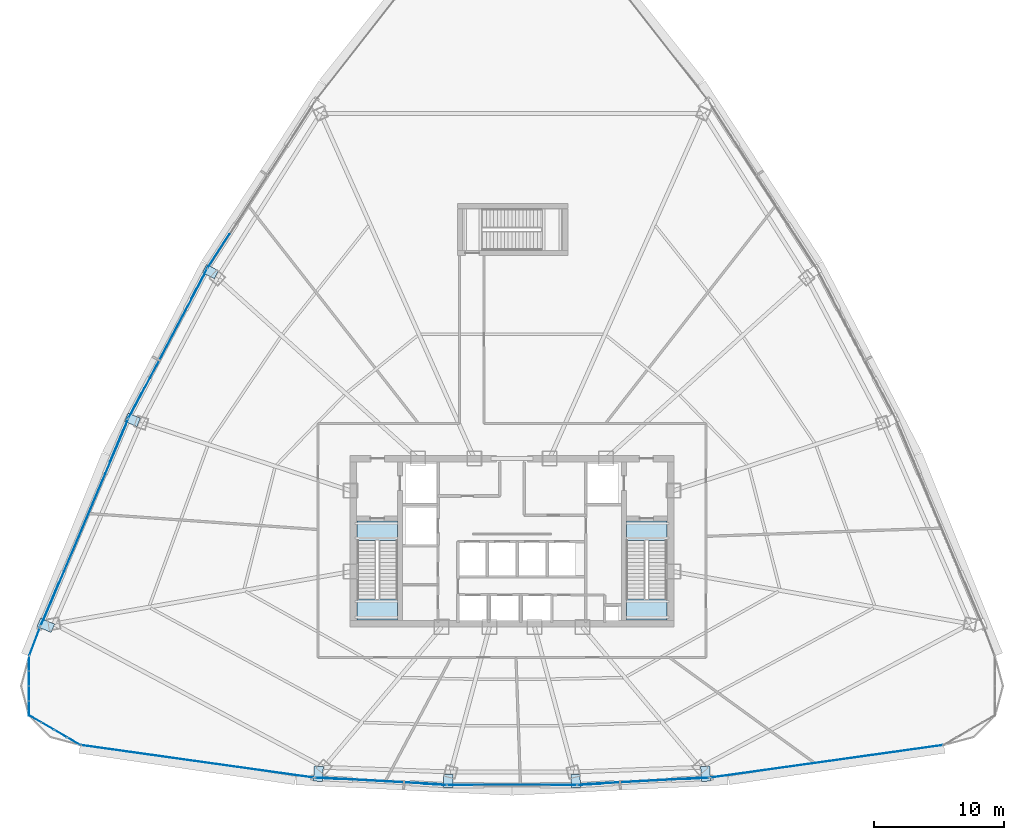
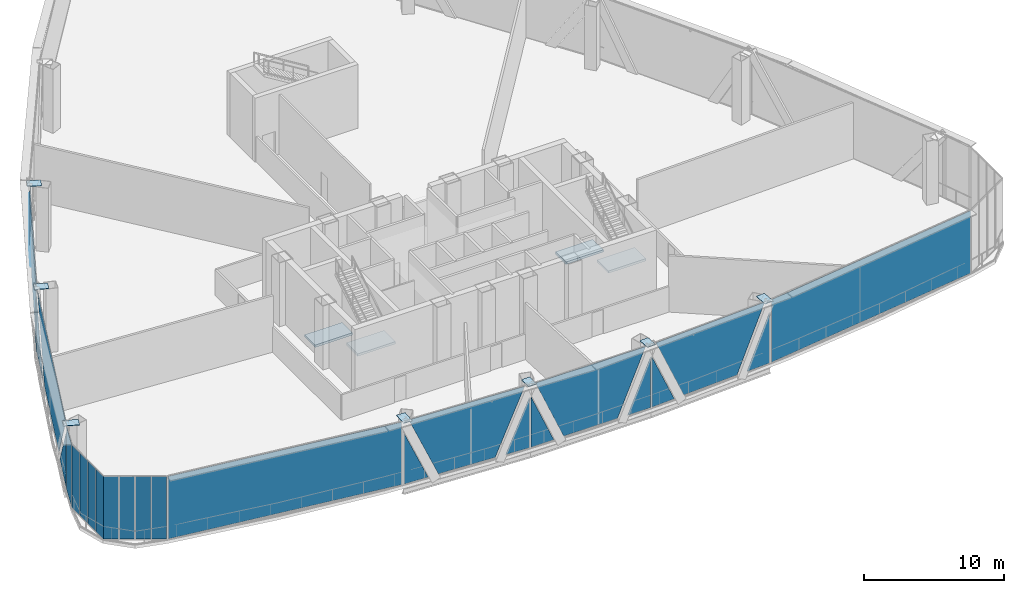
# One storey, part 27 of 38: 34 plates, 4 slabs, 13 elements without a shape of their own.
"""IFC4 building model written with IfcOpenShell, lengths in metres."""

from ifc_helpers import new_model, si_unit, direction, frame, origin, origin_2d, place, context, subcontext, project, spatial, polyline, rectangle, outline, extrude, source, transform, mapped, material, layer, layer_set, type_object, element, aggregate, save


model = new_model("IFC4")

# Units and contexts
model_context = context("Model", 3, precision=1e-05, world=origin(), true_north=direction((0.0, 1.0)))
body_context = subcontext(model_context, "Body", "Model", "MODEL_VIEW")
ifc_project = project(units=[si_unit("LENGTHUNIT", "METRE"), si_unit("AREAUNIT", "SQUARE_METRE"), si_unit("VOLUMEUNIT", "CUBIC_METRE"), si_unit("PLANEANGLEUNIT", "RADIAN"), si_unit("MASSUNIT", "GRAM", prefix="KILO"), si_unit("THERMODYNAMICTEMPERATUREUNIT", "KELVIN"), si_unit("POWERUNIT", "WATT")], contexts=[model_context])

# Site, building, storey
site_placement = place(None, origin())
site = spatial("IfcSite", under=ifc_project, at=site_placement, CompositionType="ELEMENT")
building_placement = place(site_placement, origin())
building = spatial("IfcBuilding", under=site, at=building_placement, Name="Yunzhuo Pagoda Commons", CompositionType="ELEMENT")
storey_placement = place(building_placement, frame((0.0, 0.0, 218.9599609375)))
storey = spatial("IfcBuildingStorey", under=building, at=storey_placement, Name="L55", CompositionType="ELEMENT", Elevation=218.9599609375)

# Curtain wall, plates
ifc_material_1 = material(Name="Anodized aluminium 6063-T6", Category="aluminium")
ifc_layer_1 = layer(ifc_material_1, 0.14990234375)
ifc_layer_set_1 = layer_set([ifc_layer_1], Name="Anodized aluminium 6063-T6")
curtain_wall_type_1 = type_object("IfcCurtainWallType", Name="CW-MID Mid-Zone Ribbon Curtain Wall", PredefinedType="NOTDEFINED", material=ifc_layer_set_1)
curtain_wall_1_placement = place(storey_placement, origin())
curtain_wall_1 = element("IfcCurtainWall", 1, at=curtain_wall_1_placement, inside=storey, type_object=curtain_wall_type_1, Name="L55 curtain wall CW-L55-F1B2", PredefinedType="NOTDEFINED")
ifc_material_2 = material(Name="Tempered low-e double glazing", Category="glass")
ifc_layer_2 = layer(ifc_material_2, 0.028076171875)
ifc_layer_set_2 = layer_set([ifc_layer_2], Name="Tempered low-e double glazing")
plate_type_1 = type_object("IfcPlateType", Name="CW-MID-P Low-E Double Glazing 28", PredefinedType="CURTAIN_PANEL", material=ifc_layer_set_2)
plate_1_placement = place(storey_placement, frame((33.884033203125, 15.618896484375, 2.266845703125), z_axis=(-0.055422627941, -0.998462984948, 0.0), x_axis=(0.998462984948, -0.055422627941, 0.0)))
plate_1 = element("IfcPlate", 2, at=plate_1_placement, type_object=plate_type_1, Name="CW panel 1.1 lite 1", PredefinedType="CURTAIN_PANEL", context=body_context, shape_type="SweptSolid", body=[
    extrude(outline(polyline([(-0.9609375, -2.211669921875), (0.9609375, -2.211669921875), (-0.9609375, 2.211669921875), (-0.9609375, -2.211669921875)])), origin(), (0.0, 0.0, 1.0), 0.028076171875),
])
plate_2_placement = place(storey_placement, frame((37.942138671875, 15.423583984375, 2.78515625), z_axis=(-0.055422627941, -0.998462984948, 0.0), x_axis=(0.998462984948, -0.055422627941, 0.0)))
plate_2 = element("IfcPlate", 3, at=plate_2_placement, type_object=plate_type_1, Name="CW panel 1.1 lite 2", PredefinedType="CURTAIN_PANEL", context=body_context, shape_type="SweptSolid", body=[
    extrude(outline(polyline([(-4.6455078125, 2.72998046875), (-2.273193359375, -2.72998046875), (2.273193359375, -2.72998046875), (4.6455078125, 2.72998046875), (-4.6455078125, 2.72998046875)])), origin(), (0.0, 0.0, 1.0), 0.028076171875),
])
plate_3_placement = place(storey_placement, frame((41.996826171875, 15.16845703125, 2.266845703125), z_axis=(-0.055422627941, -0.998462984948, 0.0), x_axis=(0.998462984948, -0.055422627941, 0.0)))
plate_3 = element("IfcPlate", 4, at=plate_3_placement, type_object=plate_type_1, Name="CW panel 1.1 lite 3", PredefinedType="CURTAIN_PANEL", context=body_context, shape_type="SweptSolid", body=[
    extrude(outline(polyline([(-0.9609375, -2.211669921875), (0.9609375, -2.211669921875), (0.9609375, 2.211669921875), (-0.9609375, -2.211669921875)])), origin(), (0.0, 0.0, 1.0), 0.028076171875),
])
aggregate(curtain_wall_1, [plate_1, plate_2, plate_3])

curtain_wall_2_placement = place(storey_placement, origin())
curtain_wall_2 = element("IfcCurtainWall", 5, at=curtain_wall_2_placement, inside=storey, type_object=curtain_wall_type_1, Name="L55 curtain wall CW-L55-F1B3", PredefinedType="NOTDEFINED")
plate_4_placement = place(storey_placement, frame((44.013916015625, 15.11181640625, 2.25732421875), z_axis=(0.0, -1.0, 0.0), x_axis=(1.0, 0.0, 0.0)))
plate_4 = element("IfcPlate", 6, at=plate_4_placement, type_object=plate_type_1, Name="CW panel 1.1 lite 1", PredefinedType="CURTAIN_PANEL", context=body_context, shape_type="SweptSolid", body=[
    extrude(outline(polyline([(-0.938232421875, -2.202392578125), (0.938232421875, -2.202392578125), (-0.938232421875, 2.202392578125), (-0.938232421875, -2.202392578125)])), origin(), (0.0, 0.0, 1.0), 0.028076171875),
])
plate_5_placement = place(storey_placement, frame((48.0, 15.14208984375, 2.78515625), z_axis=(0.0, -1.0, 0.0), x_axis=(1.0, 0.0, 0.0)))
plate_5 = element("IfcPlate", 7, at=plate_5_placement, type_object=plate_type_1, Name="CW panel 1.1 lite 2", PredefinedType="CURTAIN_PANEL", context=body_context, shape_type="SweptSolid", body=[
    extrude(outline(polyline([(-4.5478515625, 2.72998046875), (-2.221923828125, -2.72998046875), (2.221923828125, -2.72998046875), (4.5478515625, 2.72998046875), (-4.5478515625, 2.72998046875)])), origin(), (0.0, 0.0, 1.0), 0.028076171875),
])
plate_6_placement = place(storey_placement, frame((51.986083984375, 15.11181640625, 2.25732421875), z_axis=(0.0, -1.0, 0.0), x_axis=(1.0, 0.0, 0.0)))
plate_6 = element("IfcPlate", 8, at=plate_6_placement, type_object=plate_type_1, Name="CW panel 1.1 lite 3", PredefinedType="CURTAIN_PANEL", context=body_context, shape_type="SweptSolid", body=[
    extrude(outline(polyline([(-0.938232421875, -2.202392578125), (0.938232421875, -2.202392578125), (0.938232421875, 2.202392578125), (-0.938232421875, -2.202392578125)])), origin(), (0.0, 0.0, 1.0), 0.028076171875),
])
aggregate(curtain_wall_2, [plate_4, plate_5, plate_6])

curtain_wall_3_placement = place(storey_placement, origin())
curtain_wall_3 = element("IfcCurtainWall", 9, at=curtain_wall_3_placement, inside=storey, type_object=curtain_wall_type_1, Name="L55 curtain wall CW-L55-F1B4", PredefinedType="NOTDEFINED")
plate_7_placement = place(storey_placement, frame((54.003173828125, 15.16845703125, 2.266845703125), z_axis=(0.055422627941, -0.998462984948, 0.0), x_axis=(0.998462984948, 0.055422627941, 0.0)))
plate_7 = element("IfcPlate", 10, at=plate_7_placement, type_object=plate_type_1, Name="CW panel 1.1 lite 1", PredefinedType="CURTAIN_PANEL", context=body_context, shape_type="SweptSolid", body=[
    extrude(outline(polyline([(-0.9609375, -2.211669921875), (0.9609375, -2.211669921875), (-0.9609375, 2.211669921875), (-0.9609375, -2.211669921875)])), origin(), (0.0, 0.0, 1.0), 0.028076171875),
])
plate_8_placement = place(storey_placement, frame((58.057861328125, 15.423583984375, 2.78515625), z_axis=(0.055422627941, -0.998462984948, 0.0), x_axis=(0.998462984948, 0.055422627941, 0.0)))
plate_8 = element("IfcPlate", 11, at=plate_8_placement, type_object=plate_type_1, Name="CW panel 1.1 lite 2", PredefinedType="CURTAIN_PANEL", context=body_context, shape_type="SweptSolid", body=[
    extrude(outline(polyline([(-4.6455078125, 2.72998046875), (-2.273193359375, -2.72998046875), (2.273193359375, -2.72998046875), (4.6455078125, 2.72998046875), (-4.6455078125, 2.72998046875)])), origin(), (0.0, 0.0, 1.0), 0.028076171875),
])
plate_9_placement = place(storey_placement, frame((62.115966796875, 15.618896484375, 2.266845703125), z_axis=(0.055422627941, -0.998462984948, 0.0), x_axis=(0.998462984948, 0.055422627941, 0.0)))
plate_9 = element("IfcPlate", 12, at=plate_9_placement, type_object=plate_type_1, Name="CW panel 1.1 lite 3", PredefinedType="CURTAIN_PANEL", context=body_context, shape_type="SweptSolid", body=[
    extrude(outline(polyline([(-0.9609375, -2.211669921875), (0.9609375, -2.211669921875), (0.9609375, 2.211669921875), (-0.9609375, -2.211669921875)])), origin(), (0.0, 0.0, 1.0), 0.028076171875),
])
aggregate(curtain_wall_3, [plate_7, plate_8, plate_9])

# Curtain wall, plate
curtain_wall_4_placement = place(storey_placement, origin())
curtain_wall_4 = element("IfcCurtainWall", 13, at=curtain_wall_4_placement, inside=storey, type_object=curtain_wall_type_1, Name="L55 curtain wall CW-L55-F3B2", PredefinedType="NOTDEFINED")
plate_10_placement = place(storey_placement, frame((25.45263671875, 56.1416015625, 2.419921875), z_axis=(-0.840364735299, 0.542021320305, 0.0), x_axis=(-0.542021320305, -0.840364735299, 0.0)))
plate_10 = element("IfcPlate", 14, at=plate_10_placement, type_object=plate_type_1, Name="CW panel 1.1 lite 3", PredefinedType="CURTAIN_PANEL", context=body_context, shape_type="SweptSolid", body=[
    extrude(outline(polyline([(-1.548583984375, -2.36474609375), (1.548583984375, -2.36474609375), (1.548583984375, 2.364990234375), (-1.548583984375, -2.36474609375)])), origin(), (0.0, 0.0, 1.0), 0.028076171875),
])
aggregate(curtain_wall_4, [plate_10])

# Curtain wall, plates
curtain_wall_5_placement = place(storey_placement, origin())
curtain_wall_5 = element("IfcCurtainWall", 15, at=curtain_wall_5_placement, inside=storey, type_object=curtain_wall_type_1, Name="L55 curtain wall CW-L55-F3B3", PredefinedType="NOTDEFINED")
plate_11_placement = place(storey_placement, frame((23.954345703125, 53.599609375, 2.36767578125), z_axis=(-0.884850366753, 0.465875335746, 0.0), x_axis=(-0.465875335746, -0.884850366753, 0.0)))
plate_11 = element("IfcPlate", 16, at=plate_11_placement, type_object=plate_type_1, Name="CW panel 1.1 lite 1", PredefinedType="CURTAIN_PANEL", context=body_context, shape_type="SweptSolid", body=[
    extrude(outline(polyline([(-1.2861328125, -2.3125), (1.2861328125, -2.3125), (-1.2861328125, 2.3125), (-1.2861328125, -2.3125)])), origin(), (0.0, 0.0, 1.0), 0.028076171875),
])
plate_12_placement = place(storey_placement, frame((21.576904296875, 49.01953125, 2.78515625), z_axis=(-0.884850366753, 0.465875335746, 0.0), x_axis=(-0.465875335746, -0.884850366753, 0.0)))
plate_12 = element("IfcPlate", 17, at=plate_12_placement, type_object=plate_type_1, Name="CW panel 1.1 lite 2", PredefinedType="CURTAIN_PANEL", context=body_context, shape_type="SweptSolid", body=[
    extrude(outline(polyline([(-6.041015625, 2.72998046875), (-3.004638671875, -2.72998046875), (3.004638671875, -2.72998046875), (6.041015625, 2.72998046875), (-6.041015625, 2.72998046875)])), origin(), (0.0, 0.0, 1.0), 0.028076171875),
])
plate_13_placement = place(storey_placement, frame((19.146240234375, 44.467529296875, 2.36767578125), z_axis=(-0.884850366753, 0.465875335746, 0.0), x_axis=(-0.465875335746, -0.884850366753, 0.0)))
plate_13 = element("IfcPlate", 18, at=plate_13_placement, type_object=plate_type_1, Name="CW panel 1.1 lite 3", PredefinedType="CURTAIN_PANEL", context=body_context, shape_type="SweptSolid", body=[
    extrude(outline(polyline([(-1.2861328125, -2.3125), (1.2861328125, -2.3125), (1.2861328125, 2.3125), (-1.2861328125, -2.3125)])), origin(), (0.0, 0.0, 1.0), 0.028076171875),
])
aggregate(curtain_wall_5, [plate_11, plate_12, plate_13])

curtain_wall_6_placement = place(storey_placement, origin())
curtain_wall_6 = element("IfcCurtainWall", 19, at=curtain_wall_6_placement, inside=storey, type_object=curtain_wall_type_1, Name="L55 curtain wall CW-L55-F3B4", PredefinedType="NOTDEFINED")
plate_14_placement = place(storey_placement, frame((17.804931640625, 41.58544921875, 2.452880859375), z_axis=(-0.921188379256, 0.389116910355, 0.0), x_axis=(-0.389116910355, -0.921188379256, 0.0)))
plate_14 = element("IfcPlate", 20, at=plate_14_placement, type_object=plate_type_1, Name="CW panel 1.1 lite 1", PredefinedType="CURTAIN_PANEL", context=body_context, shape_type="SweptSolid", body=[
    extrude(outline(polyline([(-1.77685546875, -2.39794921875), (1.77685546875, -2.39794921875), (-1.77685546875, 2.39794921875), (-1.77685546875, -2.39794921875)])), origin(), (0.0, 0.0, 1.0), 0.028076171875),
])
plate_15_placement = place(storey_placement, frame((15.173583984375, 35.279296875, 2.78515625), z_axis=(-0.921188379256, 0.389116910355, 0.0), x_axis=(-0.389116910355, -0.921188379256, 0.0)))
plate_15 = element("IfcPlate", 21, at=plate_15_placement, type_object=plate_type_1, Name="CW panel 1.1 lite 2", PredefinedType="CURTAIN_PANEL", context=body_context, shape_type="SweptSolid", body=[
    extrude(outline(polyline([(-8.15625, 2.72998046875), (-4.110107421875, -2.72998046875), (4.110107421875, -2.72998046875), (8.15625, 2.72998046875), (-8.15625, 2.72998046875)])), origin(), (0.0, 0.0, 1.0), 0.028076171875),
])
plate_16_placement = place(storey_placement, frame((12.4873046875, 28.99658203125, 2.452880859375), z_axis=(-0.921188379256, 0.389116910355, 0.0), x_axis=(-0.389116910355, -0.921188379256, 0.0)))
plate_16 = element("IfcPlate", 22, at=plate_16_placement, type_object=plate_type_1, Name="CW panel 1.1 lite 3", PredefinedType="CURTAIN_PANEL", context=body_context, shape_type="SweptSolid", body=[
    extrude(outline(polyline([(-1.77685546875, -2.39794921875), (1.77685546875, -2.39794921875), (1.77685546875, 2.39794921875), (-1.77685546875, -2.39794921875)])), origin(), (0.0, 0.0, 1.0), 0.028076171875),
])
aggregate(curtain_wall_6, [plate_14, plate_15, plate_16])

# Stair, slabs
ifc_material_3 = material(Name="Concrete C40", Category="concrete")
stair_type_1 = type_object("IfcStairType", Name="ST-C1 Core Smokeproof Stair ST1", PredefinedType="HALF_TURN_STAIR", material=ifc_material_3)
stair_1_placement = place(storey_placement, origin())
stair_1 = element("IfcStair", 23, at=stair_1_placement, inside=storey, type_object=stair_type_1, Name="L55 Core smokeproof stair ST1", PredefinedType="HALF_TURN_STAIR")
ifc_layer_3 = layer(ifc_material_3, 0.199951171875)
ifc_layer_set_3 = layer_set([ifc_layer_3], Name="Concrete C40")
slab_type_1 = type_object("IfcSlabType", Name="SL-LND1 Stair Landing Slab 200", PredefinedType="LANDING", material=ifc_layer_set_3)
slab_1_placement = place(storey_placement, frame((0.0, 0.0, 2.72509765625)))
slab_1 = element("IfcSlab", 24, at=slab_1_placement, type_object=slab_type_1, Name="ST1 landing 1", PredefinedType="LANDING", context=body_context, shape_type="SweptSolid", body=[
    extrude(outline(polyline([(36.10009765625, 29.419921875), (36.10009765625, 27.800048828125), (39.199951171875, 27.800048828125), (39.199951171875, 29.419921875), (36.10009765625, 29.419921875)])), origin(), (0.0, 0.0, 1.0), 0.199951171875),
])
slab_2_placement = place(storey_placement, frame((0.0, 0.0, -0.199951171875)))
slab_2 = element("IfcSlab", 25, at=slab_2_placement, type_object=slab_type_1, Name="ST1 floor landing L55", PredefinedType="LANDING", context=body_context, shape_type="SweptSolid", body=[
    extrude(outline(polyline([(36.10009765625, 35.39990234375), (36.10009765625, 33.89990234375), (39.199951171875, 33.89990234375), (39.199951171875, 35.39990234375), (36.10009765625, 35.39990234375)])), origin(), (0.0, 0.0, 1.0), 0.199951171875),
])
aggregate(stair_1, [slab_1, slab_2])

stair_type_2 = type_object("IfcStairType", Name="ST-C2 Core Smokeproof Stair ST2", PredefinedType="HALF_TURN_STAIR", material=ifc_material_3)
stair_2_placement = place(storey_placement, origin())
stair_2 = element("IfcStair", 26, at=stair_2_placement, inside=storey, type_object=stair_type_2, Name="L55 Core smokeproof stair ST2", PredefinedType="HALF_TURN_STAIR")
ifc_layer_4 = layer(ifc_material_3, 0.201904296875)
ifc_layer_set_4 = layer_set([ifc_layer_4], Name="Concrete C40")
slab_type_2 = type_object("IfcSlabType", Name="SL-LND2 Stair Landing Slab 202", PredefinedType="LANDING", material=ifc_layer_set_4)
slab_3_placement = place(storey_placement, frame((0.0, 0.0, 2.72509765625)))
slab_3 = element("IfcSlab", 27, at=slab_3_placement, type_object=slab_type_2, Name="ST2 landing 1", PredefinedType="LANDING", context=body_context, shape_type="SweptSolid", body=[
    extrude(outline(polyline([(56.800048828125, 29.419921875), (56.800048828125, 27.800048828125), (59.89990234375, 27.800048828125), (59.89990234375, 29.419921875), (56.800048828125, 29.419921875)])), origin(), (0.0, 0.0, 1.0), 0.199951171875),
])
slab_4_placement = place(storey_placement, frame((0.0, 0.0, -0.199951171875)))
slab_4 = element("IfcSlab", 28, at=slab_4_placement, type_object=slab_type_2, Name="ST2 floor landing L55", PredefinedType="LANDING", context=body_context, shape_type="SweptSolid", body=[
    extrude(outline(polyline([(56.800048828125, 35.39990234375), (56.800048828125, 33.89990234375), (59.89990234375, 33.89990234375), (59.89990234375, 35.39990234375), (56.800048828125, 35.39990234375)])), origin(), (0.0, 0.0, 1.0), 0.199951171875),
])
aggregate(stair_2, [slab_3, slab_4])

# Plates
ifc_material_4 = material(Name="Structural steel Q355B", Category="steel")
ifc_layer_5 = layer(ifc_material_4, 0.028076171875)
ifc_layer_set_5 = layer_set([ifc_layer_5], Name="Structural steel Q355B")
plate_type_2 = type_object("IfcPlateType", Name="SP-ND1 Lattice Node Cap Plate 800x500x28", PredefinedType="USERDEFINED", material=ifc_layer_set_5)
shared_shape_1 = source(origin(), body_context, "Body", "SweptSolid", [
    extrude(rectangle(XDim=0.699951171875, YDim=1.148681640625, at=origin_2d()), origin(), (0.0, 0.0, 1.0), 0.035888671875),
])
for number, where, z_axis, x_axis, name in (
    (29, (33.12060546875, 15.96728515625, 5.5322265625), (0.0, 0.0, 1.0), (0.998463091924, -0.055420700696, 0.0), "L55 setback lattice tie plate F1.1L"),
    (30, (62.87939453125, 15.96728515625, 5.5322265625), (0.0, 0.0, 1.0), (0.998463091924, 0.055420700696, 0.0), "L55 setback lattice tie plate F1.3R"),
):
    element("IfcPlate", number, at=place(storey_placement, frame(where, z_axis=z_axis, x_axis=x_axis)), inside=storey, type_object=plate_type_2, Name=name, ObjectType="STIFFENER_PLATE", PredefinedType="USERDEFINED", context=body_context, shape_type="MappedRepresentation", body=[
        mapped(shared_shape_1, transform((0.0, 0.0, 0.0), scale=1.0)),
    ])
shared_shape_2 = source(origin(), body_context, "Body", "SweptSolid", [
    extrude(rectangle(XDim=0.699951171875, YDim=1.0078125, at=origin_2d()), origin(), (0.0, 0.0, 1.0), 0.035888671875),
])
for number, where, z_axis, x_axis, name in (
    (31, (43.1005859375, 15.41552734375, 5.5322265625), (0.0, 0.0, 1.0), (1.0, 0.0, 0.0), "L55 setback lattice tie plate F1.2L"),
    (32, (52.8994140625, 15.41552734375, 5.5322265625), (0.0, 0.0, 1.0), (0.998463091924, 0.055420700696, 0.0), "L55 setback lattice tie plate F1.3L"),
):
    element("IfcPlate", number, at=place(storey_placement, frame(where, z_axis=z_axis, x_axis=x_axis)), inside=storey, type_object=plate_type_2, Name=name, ObjectType="STIFFENER_PLATE", PredefinedType="USERDEFINED", context=body_context, shape_type="MappedRepresentation", body=[
        mapped(shared_shape_2, transform((0.0, 0.0, 0.0), scale=1.0)),
    ])
shared_shape_3 = source(origin(), body_context, "Body", "SweptSolid", [
    extrude(rectangle(XDim=0.699951171875, YDim=1.1806640625, at=origin_2d()), origin(), (0.0, 0.0, 1.0), 0.035888671875),
])
plate_17_placement = place(storey_placement, frame((12.16845703125, 27.3818359375, 5.5322265625), z_axis=(0.0, 0.0, 1.0), x_axis=(-0.38912395014, -0.921185405566, 0.0)))
element("IfcPlate", 33, at=plate_17_placement, inside=storey, type_object=plate_type_2, Name="L55 setback lattice tie plate F3.3R", ObjectType="STIFFENER_PLATE", PredefinedType="USERDEFINED", context=body_context, shape_type="MappedRepresentation", body=[
    mapped(shared_shape_3, transform((0.0, 0.0, 0.0), scale=1.0)),
])
shared_shape_4 = source(origin(), body_context, "Body", "SweptSolid", [
    extrude(rectangle(XDim=0.699951171875, YDim=1.032470703125, at=origin_2d()), origin(), (0.0, 0.0, 1.0), 0.035888671875),
])
plate_18_placement = place(storey_placement, frame((18.831298828125, 43.177490234375, 5.5322265625), z_axis=(0.0, 0.0, 1.0), x_axis=(-0.38912395014, -0.921185405566, 0.0)))
element("IfcPlate", 34, at=plate_18_placement, inside=storey, type_object=plate_type_2, Name="L55 setback lattice tie plate F3.3L", ObjectType="STIFFENER_PLATE", PredefinedType="USERDEFINED", context=body_context, shape_type="MappedRepresentation", body=[
    mapped(shared_shape_4, transform((0.0, 0.0, 0.0), scale=1.0)),
])
shared_shape_5 = source(origin(), body_context, "Body", "SweptSolid", [
    extrude(rectangle(XDim=0.699951171875, YDim=1.03564453125, at=origin_2d()), origin(), (0.0, 0.0, 1.0), 0.035888671875),
])
plate_19_placement = place(storey_placement, frame((24.82373046875, 54.56787109375, 5.5322265625), z_axis=(0.0, 0.0, 1.0), x_axis=(-0.465877080944, -0.884849447901, 0.0)))
element("IfcPlate", 35, at=plate_19_placement, inside=storey, type_object=plate_type_2, Name="L55 setback lattice tie plate F3.2L", ObjectType="STIFFENER_PLATE", PredefinedType="USERDEFINED", context=body_context, shape_type="MappedRepresentation", body=[
    mapped(shared_shape_5, transform((0.0, 0.0, 0.0), scale=1.0)),
])

# Curtain wall, plate
curtain_wall_7_placement = place(storey_placement, origin())
curtain_wall_7 = element("IfcCurtainWall", 36, at=curtain_wall_7_placement, inside=storey, type_object=curtain_wall_type_1, Name="L55 curtain wall CW-L55-F1B1", PredefinedType="NOTDEFINED")
shared_shape_6 = source(origin(), body_context, "Body", "SweptSolid", [
    extrude(rectangle(XDim=18.024658203125, YDim=0.028076171875, at=origin_2d()), origin(), (0.0, 0.0, 1.0), 5.4599609375),
])
plate_20_placement = place(storey_placement, frame((23.804443359375, 16.927001953125, 0.05517578125), z_axis=(0.0, 0.0, 1.0), x_axis=(0.990385905146, -0.138332060232, 0.0)))
plate_20 = element("IfcPlate", 37, at=plate_20_placement, type_object=plate_type_1, Name="CW panel 1.1", PredefinedType="CURTAIN_PANEL", context=body_context, shape_type="MappedRepresentation", body=[
    mapped(shared_shape_6, transform((0.0, 0.0, 0.0), scale=1.0)),
])
aggregate(curtain_wall_7, [plate_20])

curtain_wall_8_placement = place(storey_placement, origin())
curtain_wall_8 = element("IfcCurtainWall", 38, at=curtain_wall_8_placement, inside=storey, type_object=curtain_wall_type_1, Name="L55 curtain wall CW-L55-F1B5", PredefinedType="NOTDEFINED")
plate_21_placement = place(storey_placement, frame((72.195556640625, 16.927001953125, 0.05517578125), z_axis=(0.0, 0.0, 1.0), x_axis=(0.990385905146, 0.138332060232, 0.0)))
plate_21 = element("IfcPlate", 39, at=plate_21_placement, type_object=plate_type_1, Name="CW panel 1.1", PredefinedType="CURTAIN_PANEL", context=body_context, shape_type="MappedRepresentation", body=[
    mapped(shared_shape_6, transform((0.0, 0.0, 0.0), scale=1.0)),
])
aggregate(curtain_wall_8, [plate_21])

curtain_wall_9_placement = place(storey_placement, origin())
curtain_wall_9 = element("IfcCurtainWall", 40, at=curtain_wall_9_placement, inside=storey, type_object=curtain_wall_type_1, Name="L55 curtain wall CW-L55-F3B5", PredefinedType="NOTDEFINED")
shared_shape_7 = source(origin(), body_context, "Body", "SweptSolid", [
    extrude(rectangle(XDim=2.2509765625, YDim=0.028076171875, at=origin_2d()), origin(), (0.0, 0.0, 1.0), 5.4599609375),
])
plate_22_placement = place(storey_placement, frame((11.31201171875, 26.13134765625, 0.05517578125), z_axis=(0.0, 0.0, 1.0), x_axis=(-0.354956816067, -0.934882697844, 0.0)))
plate_22 = element("IfcPlate", 41, at=plate_22_placement, type_object=plate_type_1, Name="CW panel 1.1", PredefinedType="CURTAIN_PANEL", context=body_context, shape_type="MappedRepresentation", body=[
    mapped(shared_shape_7, transform((0.0, 0.0, 0.0), scale=1.0)),
])
aggregate(curtain_wall_9, [plate_22])

# Curtain wall, plates
ifc_layer_6 = layer(ifc_material_1, 0.1298828125)
ifc_layer_set_6 = layer_set([ifc_layer_6], Name="Anodized aluminium 6063-T6")
curtain_wall_type_2 = type_object("IfcCurtainWallType", Name="CW-VTX Rounded Corner Curtain Wall", PredefinedType="NOTDEFINED", material=ifc_layer_set_6)
curtain_wall_10_placement = place(storey_placement, origin())
curtain_wall_10 = element("IfcCurtainWall", 42, at=curtain_wall_10_placement, inside=storey, type_object=curtain_wall_type_2, Name="L55 curtain wall CW-L55-VTX1S1", PredefinedType="NOTDEFINED")
ifc_layer_7 = layer(ifc_material_2, 0.02587890625)
ifc_layer_set_7 = layer_set([ifc_layer_7], Name="Tempered low-e double glazing")
plate_type_3 = type_object("IfcPlateType", Name="CW-VTX-P Low-E Double Glazing 26", PredefinedType="CURTAIN_PANEL", material=ifc_layer_set_7)
shared_shape_8 = source(origin(), body_context, "Body", "SweptSolid", [
    extrude(rectangle(XDim=1.068603515625, YDim=0.028076171875, at=origin_2d()), origin(), (0.0, 0.0, 1.0), 5.4599609375),
])
plate_23_placement = place(storey_placement, frame((10.88916015625, 24.433837890625, 0.05517578125), z_axis=(0.0, 0.0, 1.0), x_axis=(-0.003583817119, -0.999993578107, 0.0)))
plate_23 = element("IfcPlate", 43, at=plate_23_placement, type_object=plate_type_3, Name="CW panel 1.1", PredefinedType="CURTAIN_PANEL", context=body_context, shape_type="MappedRepresentation", body=[
    mapped(shared_shape_8, transform((0.0, 0.0, 0.0), scale=1.0)),
])
plate_24_placement = place(storey_placement, frame((10.876953125, 21.00830078125, 0.05517578125), z_axis=(0.0, 0.0, 1.0), x_axis=(-0.003583817119, -0.999993578107, 0.0)))
plate_24 = element("IfcPlate", 44, at=plate_24_placement, type_object=plate_type_3, Name="CW panel 4.1", PredefinedType="CURTAIN_PANEL", context=body_context, shape_type="MappedRepresentation", body=[
    mapped(shared_shape_8, transform((0.0, 0.0, 0.0), scale=1.0)),
])

curtain_wall_11_placement = place(storey_placement, origin())
curtain_wall_11 = element("IfcCurtainWall", 45, at=curtain_wall_11_placement, inside=storey, type_object=curtain_wall_type_2, Name="L55 curtain wall CW-L55-VTX1S2", PredefinedType="NOTDEFINED")
plate_25_placement = place(storey_placement, frame((11.344970703125, 20.193359375, 0.05517578125), z_axis=(0.0, 0.0, 1.0), x_axis=(0.865431738084, -0.501026852291, 0.0)))
plate_25 = element("IfcPlate", 46, at=plate_25_placement, type_object=plate_type_3, Name="CW panel 1.1", PredefinedType="CURTAIN_PANEL", context=body_context, shape_type="MappedRepresentation", body=[
    mapped(shared_shape_8, transform((0.0, 0.0, 0.0), scale=1.0)),
])
plate_26_placement = place(storey_placement, frame((14.309326171875, 18.47705078125, 0.05517578125), z_axis=(0.0, 0.0, 1.0), x_axis=(0.865431738084, -0.501026852291, 0.0)))
plate_26 = element("IfcPlate", 47, at=plate_26_placement, type_object=plate_type_3, Name="CW panel 4.1", PredefinedType="CURTAIN_PANEL", context=body_context, shape_type="MappedRepresentation", body=[
    mapped(shared_shape_8, transform((0.0, 0.0, 0.0), scale=1.0)),
])

# Plate
shared_shape_9 = source(origin(), body_context, "Body", "SweptSolid", [
    extrude(rectangle(XDim=1.095947265625, YDim=0.028076171875, at=origin_2d()), origin(), (0.0, 0.0, 1.0), 5.4599609375),
])
plate_27_placement = place(storey_placement, frame((10.885009765625, 23.296630859375, 0.05517578125), z_axis=(0.0, 0.0, 1.0), x_axis=(-0.003583817119, -0.999993578107, 0.0)))
plate_27 = element("IfcPlate", 48, at=plate_27_placement, type_object=plate_type_3, Name="CW panel 2.1", PredefinedType="CURTAIN_PANEL", context=body_context, shape_type="MappedRepresentation", body=[
    mapped(shared_shape_9, transform((0.0, 0.0, 0.0), scale=1.0)),
])

plate_28_placement = place(storey_placement, frame((10.881103515625, 22.1455078125, 0.05517578125), z_axis=(0.0, 0.0, 1.0), x_axis=(-0.003583817119, -0.999993578107, 0.0)))
plate_28 = element("IfcPlate", 49, at=plate_28_placement, type_object=plate_type_3, Name="CW panel 3.1", PredefinedType="CURTAIN_PANEL", context=body_context, shape_type="MappedRepresentation", body=[
    mapped(shared_shape_9, transform((0.0, 0.0, 0.0), scale=1.0)),
])

aggregate(curtain_wall_10, [plate_23, plate_27, plate_28, plate_24])

plate_29_placement = place(storey_placement, frame((12.3291015625, 19.62353515625, 0.05517578125), z_axis=(0.0, 0.0, 1.0), x_axis=(0.865431738084, -0.501026852291, 0.0)))
plate_29 = element("IfcPlate", 50, at=plate_29_placement, type_object=plate_type_3, Name="CW panel 2.1", PredefinedType="CURTAIN_PANEL", context=body_context, shape_type="MappedRepresentation", body=[
    mapped(shared_shape_9, transform((0.0, 0.0, 0.0), scale=1.0)),
])

plate_30_placement = place(storey_placement, frame((13.3251953125, 19.046875, 0.05517578125), z_axis=(0.0, 0.0, 1.0), x_axis=(0.865431738084, -0.501026852291, 0.0)))
plate_30 = element("IfcPlate", 51, at=plate_30_placement, type_object=plate_type_3, Name="CW panel 3.1", PredefinedType="CURTAIN_PANEL", context=body_context, shape_type="MappedRepresentation", body=[
    mapped(shared_shape_9, transform((0.0, 0.0, 0.0), scale=1.0)),
])

aggregate(curtain_wall_11, [plate_25, plate_29, plate_30, plate_26])

save(model, "model.ifc")
